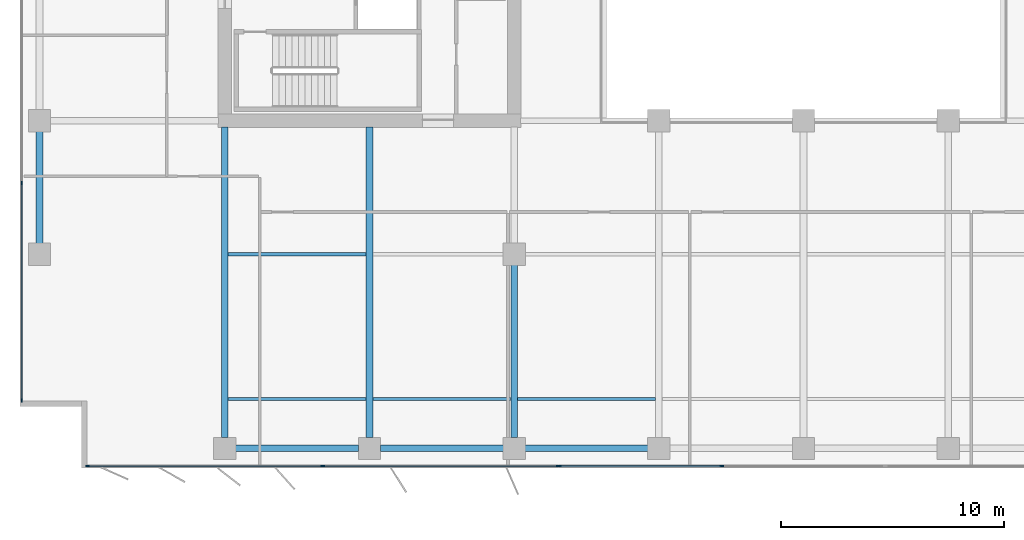
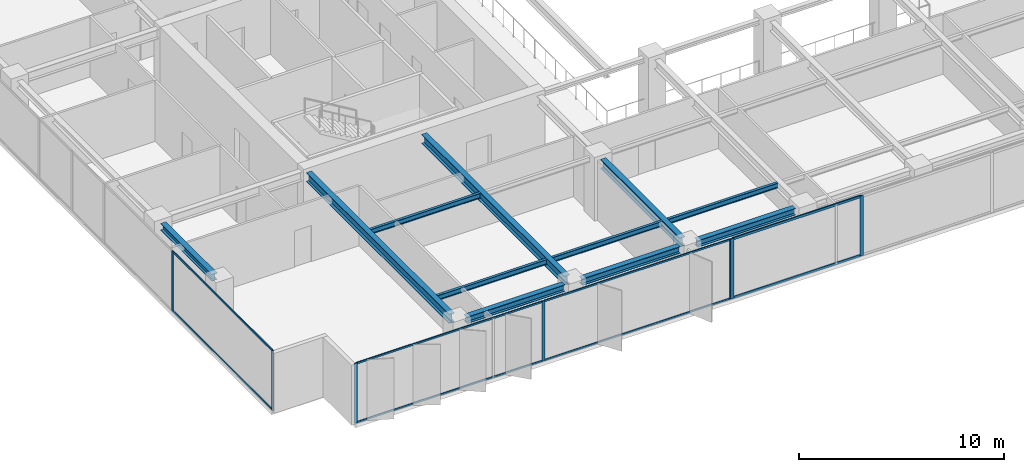
# One storey, part 2 of 22: 15 members, 11 beams, 3 elements without a shape of their own.
"""IFC4 building model written with IfcOpenShell, lengths in metres."""

from ifc_helpers import new_model, si_unit, direction, frame, origin, origin_2d, place, context, subcontext, project, spatial, rectangle, i_section, extrude, material, layer, layer_set, material_profile, profile_set, type_object, element, aggregate, save


model = new_model("IFC4")

# Units and contexts
model_context = context("Model", 3, precision=1e-05, world=origin(), true_north=direction((0.0, 1.0)))
body_context = subcontext(model_context, "Body", "Model", "MODEL_VIEW")
ifc_project = project(units=[si_unit("LENGTHUNIT", "METRE"), si_unit("AREAUNIT", "SQUARE_METRE"), si_unit("VOLUMEUNIT", "CUBIC_METRE"), si_unit("PLANEANGLEUNIT", "RADIAN"), si_unit("MASSUNIT", "GRAM", prefix="KILO")], contexts=[model_context])

# Site, building, storey
site_placement = place(None, origin())
site = spatial("IfcSite", under=ifc_project, at=site_placement, CompositionType="ELEMENT")
building_placement = place(site_placement, origin())
building = spatial("IfcBuilding", under=site, at=building_placement, Name="Putna Gate Headquarters", CompositionType="ELEMENT")
storey_placement = place(building_placement, frame((0.0, 0.0, 186.0)))
storey = spatial("IfcBuildingStorey", under=building, at=storey_placement, Name="L46", CompositionType="ELEMENT", Elevation=186.0)

# Beams
ifc_material_1 = material(Name="Steel S355J2", Category="steel")
ifc_material_profile_1 = material_profile(ifc_material_1, i_section(OverallWidth=0.300048828125, OverallDepth=0.550048828125, WebThickness=0.014892578125, FlangeThickness=0.029052734375, at=origin_2d()), Name="Steel S355J2")
ifc_profile_set_1 = profile_set([ifc_material_profile_1], Name="Steel S355J2")
beam_type_1 = type_object("IfcBeamType", Name="BM-GIRD-Z3-HEB550", PredefinedType="USERDEFINED", material=ifc_profile_set_1)
for number, where, z_axis, x_axis, name in (
    (1, (13.0, 4.76806640625, 3.297119140625), (0.0, 1.0, 0.0), (-1.0, 0.0, 0.0), "L46 South Primary Girder X13"),
    (2, (19.5, 4.76806640625, 3.297119140625), (0.0, 1.0, 0.0), (-1.0, 0.0, 0.0), "L46 South Primary Girder X19"),
):
    element("IfcBeam", number, at=place(storey_placement, frame(where, z_axis=z_axis, x_axis=x_axis)), inside=storey, type_object=beam_type_1, Name=name, ObjectType="GIRDER", PredefinedType="USERDEFINED", context=body_context, shape_type="SweptSolid", body=[
        extrude(i_section(OverallWidth=0.300048828125, OverallDepth=0.550048828125, WebThickness=0.014892578125, FlangeThickness=0.029052734375, at=origin_2d()), origin(), (0.0, 0.0, 1.0), 13.947021484375),
    ])
beam_1_placement = place(storey_placement, frame((26.0, 4.76806640625, 3.297119140625), z_axis=(0.0, 1.0, 0.0), x_axis=(-1.0, 0.0, 0.0)))
element("IfcBeam", 3, at=beam_1_placement, inside=storey, type_object=beam_type_1, Name="L46 South Primary Girder X26-1", ObjectType="GIRDER", PredefinedType="USERDEFINED", context=body_context, shape_type="SweptSolid", body=[
    extrude(i_section(OverallWidth=0.300048828125, OverallDepth=0.550048828125, WebThickness=0.014892578125, FlangeThickness=0.029052734375, at=origin_2d()), origin(), (0.0, 0.0, 1.0), 7.743896484375),
])
ifc_material_profile_2 = material_profile(ifc_material_1, i_section(OverallWidth=0.14990234375, OverallDepth=0.300048828125, WebThickness=0.007080078125, FlangeThickness=0.0107421875, at=origin_2d()), Name="Steel S355J2")
ifc_profile_set_2 = profile_set([ifc_material_profile_2], Name="Steel S355J2")
beam_type_2 = type_object("IfcBeamType", Name="BM-SEC-Z3-IPE300", PredefinedType="JOIST", material=ifc_profile_set_2)
for number, where, z_axis, x_axis, name in (
    (4, (13.154052734375, 6.5, 3.422119140625), (1.0, 0.0, 0.0), (0.0, 1.0, 0.0), "L46 South Secondary Beam 1"),
    (5, (13.154052734375, 13.0, 3.422119140625), (1.0, 0.0, 0.0), (0.0, 1.0, 0.0), "L46 South Secondary Beam 1"),
    (6, (19.654052734375, 6.5, 3.422119140625), (1.0, 0.0, 0.0), (0.0, 1.0, 0.0), "L46 South Secondary Beam 2"),
    (7, (26.154052734375, 6.5, 3.422119140625), (1.0, 0.0, 0.0), (0.0, 1.0, 0.0), "L46 South Secondary Beam 3"),
):
    element("IfcBeam", number, at=place(storey_placement, frame(where, z_axis=z_axis, x_axis=x_axis)), inside=storey, type_object=beam_type_2, Name=name, PredefinedType="JOIST", context=body_context, shape_type="SweptSolid", body=[
        extrude(i_section(OverallWidth=0.14990234375, OverallDepth=0.300048828125, WebThickness=0.007080078125, FlangeThickness=0.0107421875, at=origin_2d()), origin(), (0.0, 0.0, 1.0), 6.19189453125),
    ])
ifc_material_profile_3 = material_profile(ifc_material_1, i_section(OverallWidth=0.300048828125, OverallDepth=0.39990234375, WebThickness=0.013427734375, FlangeThickness=0.02392578125, at=origin_2d()), Name="Steel S355J2")
ifc_profile_set_3 = profile_set([ifc_material_profile_3], Name="Steel S355J2")
beam_type_3 = type_object("IfcBeamType", Name="BM-SPAN-Z3-HEB400", PredefinedType="SPANDREL", material=ifc_profile_set_3)
for number, where, z_axis, x_axis, name in (
    (8, (13.488037109375, 4.280029296875, 3.3720703125), (1.0, 0.0, 0.0), (0.0, 1.0, 0.0), "L46 S Perimeter Spandrel 1"),
    (9, (19.988037109375, 4.280029296875, 3.3720703125), (1.0, 0.0, 0.0), (0.0, 1.0, 0.0), "L46 S Perimeter Spandrel 2"),
    (10, (26.488037109375, 4.280029296875, 3.3720703125), (1.0, 0.0, 0.0), (0.0, 1.0, 0.0), "L46 S Perimeter Spandrel 3"),
):
    element("IfcBeam", number, at=place(storey_placement, frame(where, z_axis=z_axis, x_axis=x_axis)), inside=storey, type_object=beam_type_3, Name=name, PredefinedType="SPANDREL", context=body_context, shape_type="SweptSolid", body=[
        extrude(i_section(OverallWidth=0.300048828125, OverallDepth=0.39990234375, WebThickness=0.013427734375, FlangeThickness=0.02392578125, at=origin_2d()), origin(), (0.0, 0.0, 1.0), 5.52392578125),
    ])
beam_2_placement = place(storey_placement, frame((4.679931640625, 13.488037109375, 3.3720703125), z_axis=(0.0, 1.0, 0.0), x_axis=(-1.0, 0.0, 0.0)))
element("IfcBeam", 11, at=beam_2_placement, inside=storey, type_object=beam_type_3, Name="L46 W End Spandrel 1", PredefinedType="SPANDREL", context=body_context, shape_type="SweptSolid", body=[
    extrude(i_section(OverallWidth=0.300048828125, OverallDepth=0.39990234375, WebThickness=0.013427734375, FlangeThickness=0.02392578125, at=origin_2d()), origin(), (0.0, 0.0, 1.0), 5.02392578125),
])

# Curtain wall, members
ifc_material_2 = material(Name="Anodised bronze aluminium curtain wall", Category="aluminium")
ifc_layer_1 = layer(ifc_material_2, 0.159912109375)
ifc_layer_set_1 = layer_set([ifc_layer_1], Name="Anodised bronze aluminium curtain wall")
curtain_wall_type_1 = type_object("IfcCurtainWallType", Name="CW-SYS-Z3", PredefinedType="USERDEFINED", material=ifc_layer_set_1)
curtain_wall_1_placement = place(storey_placement, origin())
curtain_wall_1 = element("IfcCurtainWall", 12, at=curtain_wall_1_placement, inside=storey, type_object=curtain_wall_type_1, Name="L46 South West Curtain Wall", ObjectType="STICK CURTAIN WALL", PredefinedType="USERDEFINED")
ifc_material_3 = material(Name="Anodised bronze aluminium EN AW-6060", Category="aluminium")
ifc_material_profile_4 = material_profile(ifc_material_3, rectangle(XDim=0.06494140625, YDim=0.159912109375, at=origin_2d()), Name="Anodised bronze aluminium EN AW-6060")
ifc_profile_set_4 = profile_set([ifc_material_profile_4], Name="Anodised bronze aluminium EN AW-6060")
member_type_1 = type_object("IfcMemberType", Name="MULL-CWM-3", PredefinedType="MULLION", material=ifc_profile_set_4)
member_1_placement = place(storey_placement, frame((6.83251953125, 3.47998046875, 0.0), z_axis=(0.0, 0.0, 1.0), x_axis=(0.0, 1.0, 0.0)))
member_1 = element("IfcMember", 13, at=member_1_placement, type_object=member_type_1, Name="CWS-3 mullion 1", PredefinedType="MULLION", context=body_context, shape_type="SweptSolid", body=[
    extrude(rectangle(XDim=0.06494140625, YDim=0.159912109375, at=origin_2d()), origin(), (0.0, 0.0, 1.0), 3.572021484375),
])
member_2_placement = place(storey_placement, frame((17.39990234375, 3.47998046875, 0.0), z_axis=(0.0, 0.0, 1.0), x_axis=(0.0, 1.0, 0.0)))
member_2 = element("IfcMember", 14, at=member_2_placement, type_object=member_type_1, Name="CWS-3 mullion 2", PredefinedType="MULLION", context=body_context, shape_type="SweptSolid", body=[
    extrude(rectangle(XDim=0.06494140625, YDim=0.159912109375, at=origin_2d()), origin(), (0.0, 0.0, 1.0), 3.572021484375),
])
member_3_placement = place(storey_placement, frame((27.967529296875, 3.47998046875, 0.0), z_axis=(0.0, 0.0, 1.0), x_axis=(0.0, 1.0, 0.0)))
member_3 = element("IfcMember", 15, at=member_3_placement, type_object=member_type_1, Name="CWS-3 mullion 3", PredefinedType="MULLION", context=body_context, shape_type="SweptSolid", body=[
    extrude(rectangle(XDim=0.06494140625, YDim=0.159912109375, at=origin_2d()), origin(), (0.0, 0.0, 1.0), 3.572021484375),
])

curtain_wall_2_placement = place(storey_placement, origin())
curtain_wall_2 = element("IfcCurtainWall", 16, at=curtain_wall_2_placement, inside=storey, type_object=curtain_wall_type_1, Name="L46 West Curtain Wall", ObjectType="STICK CURTAIN WALL", PredefinedType="USERDEFINED")
member_4_placement = place(storey_placement, frame((3.8798828125, 6.4326171875, 0.0), z_axis=(0.0, 0.0, 1.0), x_axis=(-1.0, 0.0, 0.0)))
member_4 = element("IfcMember", 17, at=member_4_placement, type_object=member_type_1, Name="CWS-3 mullion 1", PredefinedType="MULLION", context=body_context, shape_type="SweptSolid", body=[
    extrude(rectangle(XDim=0.06494140625, YDim=0.159912109375, at=origin_2d()), origin(), (0.0, 0.0, 1.0), 3.572021484375),
])
member_5_placement = place(storey_placement, frame((3.8798828125, 16.199951171875, 0.0), z_axis=(0.0, 0.0, 1.0), x_axis=(-1.0, 0.0, 0.0)))
member_5 = element("IfcMember", 18, at=member_5_placement, type_object=member_type_1, Name="CWS-3 mullion 2", PredefinedType="MULLION", context=body_context, shape_type="SweptSolid", body=[
    extrude(rectangle(XDim=0.06494140625, YDim=0.159912109375, at=origin_2d()), origin(), (0.0, 0.0, 1.0), 3.572021484375),
])

ifc_layer_2 = layer(ifc_material_2, 0.179931640625)
ifc_layer_set_2 = layer_set([ifc_layer_2], Name="Anodised bronze aluminium curtain wall")
curtain_wall_type_2 = type_object("IfcCurtainWallType", Name="CW-SYS-ATR", PredefinedType="USERDEFINED", material=ifc_layer_set_2)
curtain_wall_3_placement = place(storey_placement, origin())
curtain_wall_3 = element("IfcCurtainWall", 19, at=curtain_wall_3_placement, inside=storey, type_object=curtain_wall_type_2, Name="L46 South Atrium Clear Glazing", ObjectType="ATRIUM GLAZING", PredefinedType="USERDEFINED")
ifc_material_profile_5 = material_profile(ifc_material_3, rectangle(XDim=0.070068359375, YDim=0.179931640625, at=origin_2d()), Name="Anodised bronze aluminium EN AW-6060")
ifc_profile_set_5 = profile_set([ifc_material_profile_5], Name="Anodised bronze aluminium EN AW-6060")
member_type_2 = type_object("IfcMemberType", Name="MULL-CWM-AT", PredefinedType="MULLION", material=ifc_profile_set_5)
member_6_placement = place(storey_placement, frame((28.034912109375, 3.47998046875, 0.0), z_axis=(0.0, 0.0, 1.0), x_axis=(0.0, 1.0, 0.0)))
member_6 = element("IfcMember", 20, at=member_6_placement, type_object=member_type_2, Name="CWS-AT mullion 1", PredefinedType="MULLION", context=body_context, shape_type="SweptSolid", body=[
    extrude(rectangle(XDim=0.070068359375, YDim=0.179931640625, at=origin_2d()), origin(), (0.0, 0.0, 1.0), 3.572021484375),
])
member_7_placement = place(storey_placement, frame((35.333251953125, 3.47998046875, 0.0), z_axis=(0.0, 0.0, 1.0), x_axis=(0.0, 1.0, 0.0)))
member_7 = element("IfcMember", 21, at=member_7_placement, type_object=member_type_2, Name="CWS-AT mullion 2", PredefinedType="MULLION", context=body_context, shape_type="SweptSolid", body=[
    extrude(rectangle(XDim=0.070068359375, YDim=0.179931640625, at=origin_2d()), origin(), (0.0, 0.0, 1.0), 3.572021484375),
])

# Member
ifc_material_profile_6 = material_profile(ifc_material_3, rectangle(XDim=0.06005859375, YDim=0.10009765625, at=origin_2d()), Name="Anodised bronze aluminium EN AW-6060")
ifc_profile_set_6 = profile_set([ifc_material_profile_6], Name="Anodised bronze aluminium EN AW-6060")
member_type_3 = type_object("IfcMemberType", Name="TRAN-CWT-3", PredefinedType="USERDEFINED", material=ifc_profile_set_6)
member_8_placement = place(storey_placement, frame((6.864990234375, 3.47998046875, 0.030029296875), z_axis=(1.0, 0.0, 0.0), x_axis=(0.0, 1.0, 0.0)))
member_8 = element("IfcMember", 22, at=member_8_placement, type_object=member_type_3, Name="CWS-3 transom 1.1", ObjectType="TRANSOM", PredefinedType="USERDEFINED", context=body_context, shape_type="SweptSolid", body=[
    extrude(rectangle(XDim=0.06005859375, YDim=0.10009765625, at=origin_2d()), origin(), (0.0, 0.0, 1.0), 10.50244140625),
])

member_9_placement = place(storey_placement, frame((6.864990234375, 3.47998046875, 3.5419921875), z_axis=(1.0, 0.0, 0.0), x_axis=(0.0, 1.0, 0.0)))
member_9 = element("IfcMember", 23, at=member_9_placement, type_object=member_type_3, Name="CWS-3 transom 1.2", ObjectType="TRANSOM", PredefinedType="USERDEFINED", context=body_context, shape_type="SweptSolid", body=[
    extrude(rectangle(XDim=0.06005859375, YDim=0.10009765625, at=origin_2d()), origin(), (0.0, 0.0, 1.0), 10.50244140625),
])

member_10_placement = place(storey_placement, frame((17.4326171875, 3.47998046875, 0.030029296875), z_axis=(1.0, 0.0, 0.0), x_axis=(0.0, 1.0, 0.0)))
member_10 = element("IfcMember", 24, at=member_10_placement, type_object=member_type_3, Name="CWS-3 transom 2.1", ObjectType="TRANSOM", PredefinedType="USERDEFINED", context=body_context, shape_type="SweptSolid", body=[
    extrude(rectangle(XDim=0.06005859375, YDim=0.10009765625, at=origin_2d()), origin(), (0.0, 0.0, 1.0), 10.50244140625),
])

member_11_placement = place(storey_placement, frame((17.4326171875, 3.47998046875, 3.5419921875), z_axis=(1.0, 0.0, 0.0), x_axis=(0.0, 1.0, 0.0)))
member_11 = element("IfcMember", 25, at=member_11_placement, type_object=member_type_3, Name="CWS-3 transom 2.2", ObjectType="TRANSOM", PredefinedType="USERDEFINED", context=body_context, shape_type="SweptSolid", body=[
    extrude(rectangle(XDim=0.06005859375, YDim=0.10009765625, at=origin_2d()), origin(), (0.0, 0.0, 1.0), 10.50244140625),
])

aggregate(curtain_wall_1, [member_1, member_2, member_3, member_8, member_9, member_10, member_11])

member_12_placement = place(storey_placement, frame((3.8798828125, 6.465087890625, 0.030029296875), z_axis=(0.0, 1.0, 0.0), x_axis=(-1.0, 0.0, 0.0)))
member_12 = element("IfcMember", 26, at=member_12_placement, type_object=member_type_3, Name="CWS-3 transom 1.1", ObjectType="TRANSOM", PredefinedType="USERDEFINED", context=body_context, shape_type="SweptSolid", body=[
    extrude(rectangle(XDim=0.06005859375, YDim=0.10009765625, at=origin_2d()), origin(), (0.0, 0.0, 1.0), 9.702392578125),
])

member_13_placement = place(storey_placement, frame((3.8798828125, 6.465087890625, 3.5419921875), z_axis=(0.0, 1.0, 0.0), x_axis=(-1.0, 0.0, 0.0)))
member_13 = element("IfcMember", 27, at=member_13_placement, type_object=member_type_3, Name="CWS-3 transom 1.2", ObjectType="TRANSOM", PredefinedType="USERDEFINED", context=body_context, shape_type="SweptSolid", body=[
    extrude(rectangle(XDim=0.06005859375, YDim=0.10009765625, at=origin_2d()), origin(), (0.0, 0.0, 1.0), 9.702392578125),
])

aggregate(curtain_wall_2, [member_4, member_5, member_12, member_13])

ifc_material_profile_7 = material_profile(ifc_material_3, rectangle(XDim=0.070068359375, YDim=0.139892578125, at=origin_2d()), Name="Anodised bronze aluminium EN AW-6060")
ifc_profile_set_7 = profile_set([ifc_material_profile_7], Name="Anodised bronze aluminium EN AW-6060")
member_type_4 = type_object("IfcMemberType", Name="TRAN-CWT-AT", PredefinedType="USERDEFINED", material=ifc_profile_set_7)
member_14_placement = place(storey_placement, frame((28.070068359375, 3.47998046875, 0.034912109375), z_axis=(1.0, 0.0, 0.0), x_axis=(0.0, 1.0, 0.0)))
member_14 = element("IfcMember", 28, at=member_14_placement, type_object=member_type_4, Name="CWS-AT transom 1.1", ObjectType="TRANSOM", PredefinedType="USERDEFINED", context=body_context, shape_type="SweptSolid", body=[
    extrude(rectangle(XDim=0.070068359375, YDim=0.139892578125, at=origin_2d()), origin(), (0.0, 0.0, 1.0), 7.228271484375),
])

member_15_placement = place(storey_placement, frame((28.070068359375, 3.47998046875, 3.537109375), z_axis=(1.0, 0.0, 0.0), x_axis=(0.0, 1.0, 0.0)))
member_15 = element("IfcMember", 29, at=member_15_placement, type_object=member_type_4, Name="CWS-AT transom 1.2", ObjectType="TRANSOM", PredefinedType="USERDEFINED", context=body_context, shape_type="SweptSolid", body=[
    extrude(rectangle(XDim=0.070068359375, YDim=0.139892578125, at=origin_2d()), origin(), (0.0, 0.0, 1.0), 7.228271484375),
])

aggregate(curtain_wall_3, [member_6, member_7, member_14, member_15])

save(model, "model.ifc")
